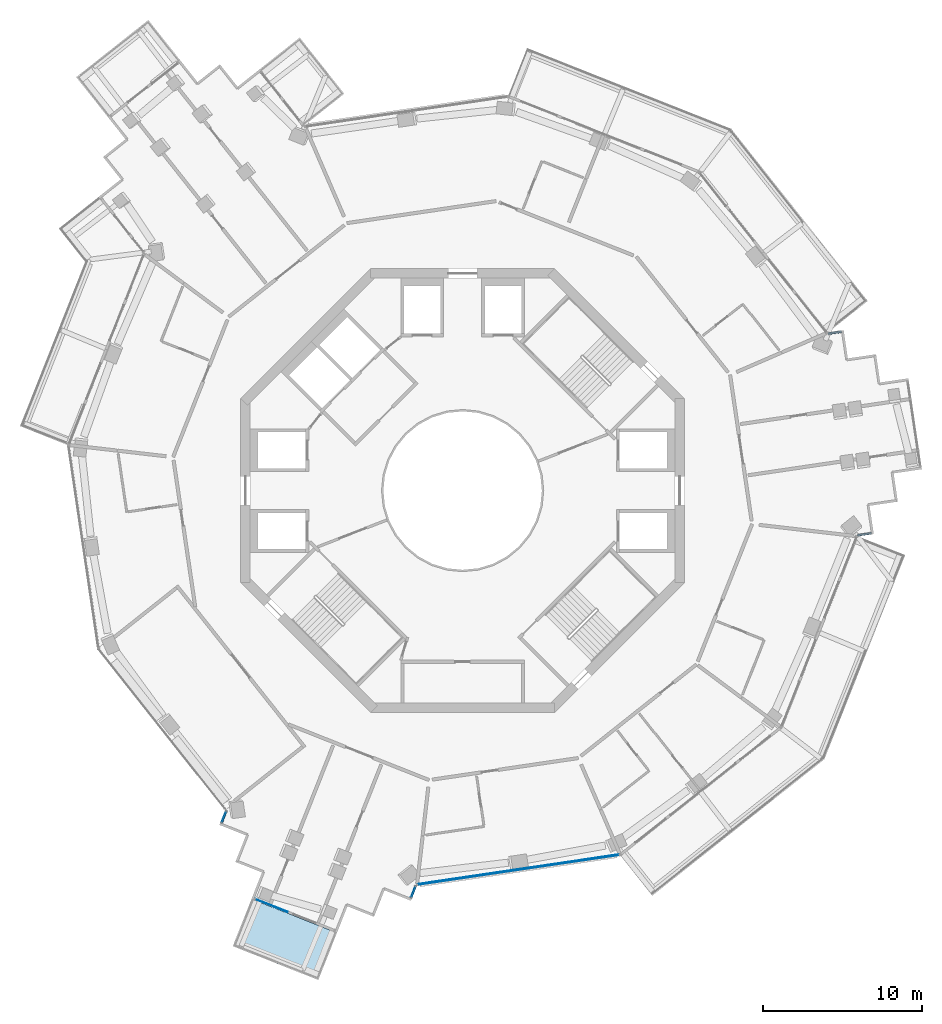
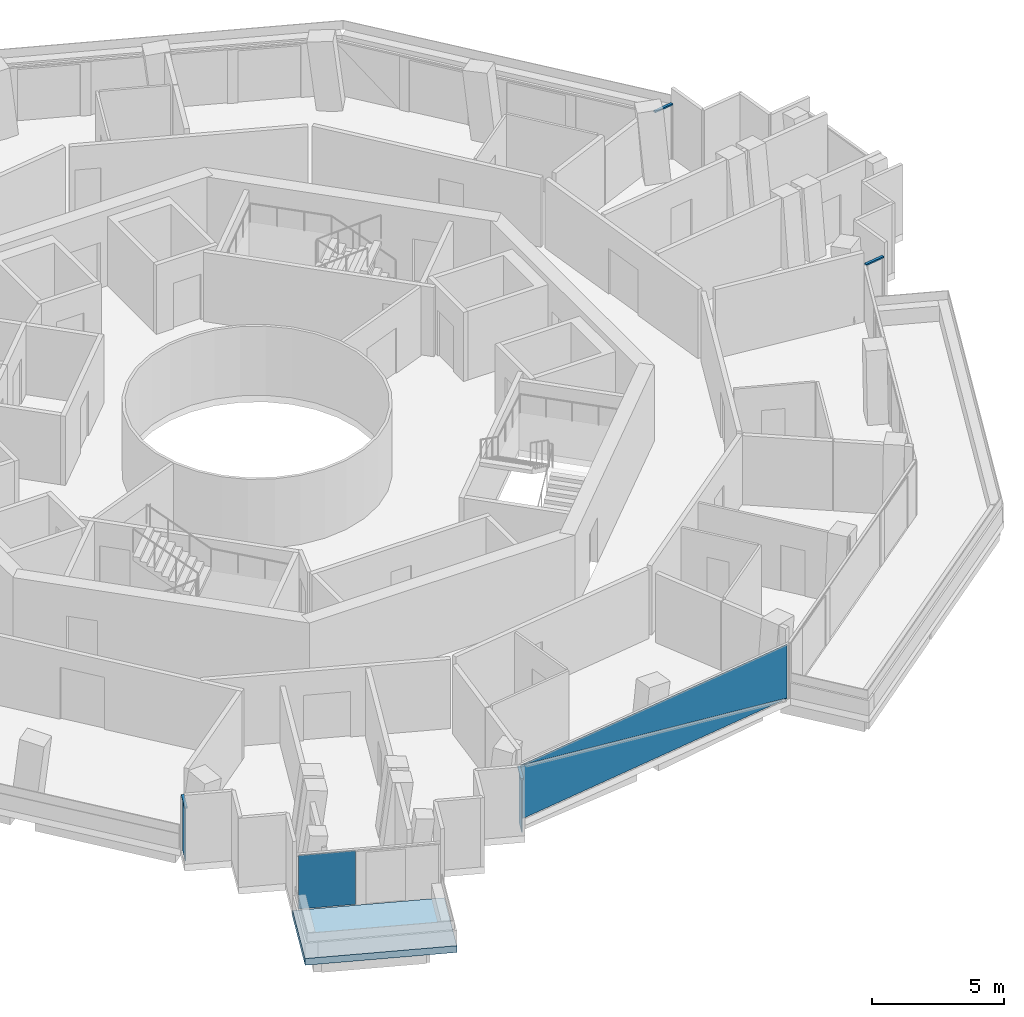
# One storey, part 10 of 21: 5 plates, 4 members, 1 slab, 6 elements without a shape of their own.
"""IFC4 building model written with IfcOpenShell, lengths in metres."""

from ifc_helpers import new_model, si_unit, direction, frame, origin, origin_2d, place, context, subcontext, project, spatial, polyline, rectangle, outline, extrude, material, layer, layer_set, material_profile, profile_set, type_object, element, aggregate, save


model = new_model("IFC4")

# Units and contexts
model_context = context("Model", 3, precision=1e-05, world=origin(), true_north=direction((0.0, 1.0)))
body_context = subcontext(model_context, "Body", "Model", "MODEL_VIEW")
ifc_project = project(units=[si_unit("LENGTHUNIT", "METRE"), si_unit("AREAUNIT", "SQUARE_METRE"), si_unit("VOLUMEUNIT", "CUBIC_METRE"), si_unit("PLANEANGLEUNIT", "RADIAN"), si_unit("MASSUNIT", "GRAM", prefix="KILO")], contexts=[model_context])

# Site, building, storey
site_placement = place(None, origin())
site = spatial("IfcSite", under=ifc_project, at=site_placement, CompositionType="ELEMENT")
building_placement = place(site_placement, origin())
building = spatial("IfcBuilding", under=site, at=building_placement, Name="Verdalira Terraces Hotel", CompositionType="ELEMENT")
storey_placement = place(building_placement, frame((0.0, 0.0, 190.5)))
storey = spatial("IfcBuildingStorey", under=building, at=storey_placement, Name="L46", CompositionType="ELEMENT", Elevation=190.5)

# Curtain wall, member
ifc_material_1 = material(Name="Clear glass", Category="glass")
ifc_layer_1 = layer(ifc_material_1, 0.14990234375)
ifc_layer_set_1 = layer_set([ifc_layer_1], Name="CW2 curtain wall")
curtain_wall_type_1 = type_object("IfcCurtainWallType", Name="CW2 curtain wall", PredefinedType="NOTDEFINED", material=ifc_layer_set_1)
curtain_wall_1_placement = place(storey_placement, origin())
curtain_wall_1 = element("IfcCurtainWall", 1, at=curtain_wall_1_placement, inside=storey, type_object=curtain_wall_type_1, Name="CW2 curtain wall L46 edge 14", PredefinedType="NOTDEFINED")
ifc_material_2 = material(Name="Terracotta frame", Category="masonry")
ifc_material_profile = material_profile(ifc_material_2, rectangle(XDim=0.11499, YDim=0.064941, at=origin_2d()), Name="TR 65x115")
ifc_profile_set = profile_set([ifc_material_profile], Name="Terracotta frame")
member_type = type_object("IfcMemberType", Name="CW2 transom 65x115", PredefinedType="USERDEFINED", material=ifc_profile_set)
member_1_placement = place(storey_placement, frame((-14.903809, -20.189697, 2.507568), z_axis=(-0.368219162, -0.929739022, 0.0), x_axis=(0.929739022, -0.368219162, 0.0)))
member_1 = element("IfcMember", 2, at=member_1_placement, type_object=member_type, Name="CW2 transom", ObjectType="TRANSOM", PredefinedType="USERDEFINED", context=body_context, shape_type="SweptSolid", body=[
    extrude(rectangle(XDim=0.11499, YDim=0.064941, at=origin_2d()), origin(), (0.0, 0.0, 1.0), 0.850098),
])

curtain_wall_2_placement = place(storey_placement, origin())
curtain_wall_2 = element("IfcCurtainWall", 3, at=curtain_wall_2_placement, inside=storey, type_object=curtain_wall_type_1, Name="CW2 curtain wall L46 edge 24", PredefinedType="NOTDEFINED")
member_2_placement = place(storey_placement, frame((-3.269287, -25.710449, 2.507568), z_axis=(0.368120856, 0.92977795, 0.0), x_axis=(-0.92977795, 0.368120856, 0.0)))
member_2 = element("IfcMember", 4, at=member_2_placement, type_object=member_type, Name="CW2 transom", ObjectType="TRANSOM", PredefinedType="USERDEFINED", context=body_context, shape_type="SweptSolid", body=[
    extrude(rectangle(XDim=0.11499, YDim=0.064941, at=origin_2d()), origin(), (0.0, 0.0, 1.0), 0.850342),
])

curtain_wall_3_placement = place(storey_placement, origin())
curtain_wall_3 = element("IfcCurtainWall", 5, at=curtain_wall_3_placement, inside=storey, type_object=curtain_wall_type_1, Name="CW2 curtain wall L46 edge 28", PredefinedType="NOTDEFINED")
member_3_placement = place(storey_placement, frame((24.936768, -2.812256, 2.507568), z_axis=(0.989295803, 0.145924003, 0.0), x_axis=(-0.145924003, 0.989295803, 0.0)))
member_3 = element("IfcMember", 6, at=member_3_placement, type_object=member_type, Name="CW2 transom", ObjectType="TRANSOM", PredefinedType="USERDEFINED", context=body_context, shape_type="SweptSolid", body=[
    extrude(rectangle(XDim=0.11499, YDim=0.064941, at=origin_2d()), origin(), (0.0, 0.0, 1.0), 0.849854),
])
aggregate(curtain_wall_3, [member_3])

curtain_wall_4_placement = place(storey_placement, origin())
curtain_wall_4 = element("IfcCurtainWall", 7, at=curtain_wall_4_placement, inside=storey, type_object=curtain_wall_type_1, Name="CW2 curtain wall L46 edge 38", PredefinedType="NOTDEFINED")
member_4_placement = place(storey_placement, frame((23.900391, 10.023926, 2.507568), z_axis=(-0.989295803, -0.145924003, 0.0), x_axis=(0.145924003, -0.989295803, 0.0)))
member_4 = element("IfcMember", 8, at=member_4_placement, type_object=member_type, Name="CW2 transom", ObjectType="TRANSOM", PredefinedType="USERDEFINED", context=body_context, shape_type="SweptSolid", body=[
    extrude(rectangle(XDim=0.11499, YDim=0.064941, at=origin_2d()), origin(), (0.0, 0.0, 1.0), 0.849854),
])
aggregate(curtain_wall_4, [member_4])

# Slab
ifc_material_3 = material(Name="Precast concrete C40/50", Category="concrete")
ifc_layer_2 = layer(ifc_material_3, 0.31005859375)
ifc_layer_set_2 = layer_set([ifc_layer_2], Name="Balcony deck 310")
slab_type = type_object("IfcSlabType", Name="Balcony deck 310", PredefinedType="FLOOR", material=ifc_layer_set_2)
slab_placement = place(storey_placement, frame((0.0, 0.0, -0.310059)))
element("IfcSlab", 9, at=slab_placement, inside=storey, type_object=slab_type, Name="Balcony deck", PredefinedType="FLOOR", context=body_context, shape_type="SweptSolid", body=[
    extrude(outline(polyline([(-9.105225, -30.874756), (-7.927002, -27.899414), (-13.319824, -25.76416), (-14.497803, -28.739502), (-9.105225, -30.874756)])), origin(), (0.0, 0.0, 1.0), 0.310059),
])

# Curtain wall, plates
ifc_material_4 = material(Name="Clear glass", Category="glass")
ifc_layer_3 = layer(ifc_material_4, 0.14990234375)
ifc_layer_set_3 = layer_set([ifc_layer_3], Name="CW1 curtain wall")
curtain_wall_type_2 = type_object("IfcCurtainWallType", Name="CW1 curtain wall", PredefinedType="NOTDEFINED", material=ifc_layer_set_3)
curtain_wall_5_placement = place(storey_placement, origin())
curtain_wall_5 = element("IfcCurtainWall", 10, at=curtain_wall_5_placement, inside=storey, type_object=curtain_wall_type_2, Name="CW1 curtain wall L46 edge 25", PredefinedType="NOTDEFINED")
ifc_material_5 = material(Name="Clear glass", Category="glass")
ifc_layer_4 = layer(ifc_material_5, 0.028076171875)
ifc_layer_set_4 = layer_set([ifc_layer_4], Name="CW1 glass unit 28")
plate_type_1 = type_object("IfcPlateType", Name="CW1 glass unit 28", PredefinedType="CURTAIN_PANEL", material=ifc_layer_set_4)
plate_1_placement = place(storey_placement, frame((3.510986, -23.912842, 1.237549), z_axis=(0.146083029, -0.989272333, 0.0), x_axis=(0.989272333, 0.146083029, 0.0)))
plate_1 = element("IfcPlate", 11, at=plate_1_placement, type_object=plate_type_1, Name="CW1 glass unit", PredefinedType="CURTAIN_PANEL", context=body_context, shape_type="SweptSolid", body=[
    extrude(outline(polyline([(-6.419922, -1.237549), (6.419922, -1.237549), (-6.419922, 1.237549), (-6.419922, -1.237549)])), origin(), (0.0, 0.0, 1.0), 0.028076),
])
plate_2_placement = place(storey_placement, frame((3.506592, -23.884033, 1.237549), z_axis=(0.146083029, -0.989272333, 0.0), x_axis=(0.989272333, 0.146083029, 0.0)))
plate_2 = element("IfcPlate", 12, at=plate_2_placement, type_object=plate_type_1, Name="CW1 glass unit", PredefinedType="CURTAIN_PANEL", context=body_context, shape_type="SweptSolid", body=[
    extrude(outline(polyline([(6.419922, -1.237549), (6.419922, 1.237549), (-6.419922, 1.237549), (6.419922, -1.237549)])), origin(), (0.0, 0.0, 1.0), 0.028076),
])
aggregate(curtain_wall_5, [plate_1, plate_2])

# Plate
ifc_material_6 = material(Name="Clear glass", Category="glass")
ifc_layer_5 = layer(ifc_material_6, 0.031982421875)
ifc_layer_set_5 = layer_set([ifc_layer_5], Name="CW2 glass unit 32")
plate_type_2 = type_object("IfcPlateType", Name="CW2 glass unit 32", PredefinedType="CURTAIN_PANEL", material=ifc_layer_set_5)
plate_3_placement = place(storey_placement, frame((-15.060303, -20.584717, 0.0), z_axis=(0.0, 0.0, 1.0), x_axis=(-0.368124553, -0.929776486, 0.0)))
plate_3 = element("IfcPlate", 13, at=plate_3_placement, type_object=plate_type_2, Name="CW2 glass unit", PredefinedType="CURTAIN_PANEL", context=body_context, shape_type="SweptSolid", body=[
    extrude(rectangle(XDim=0.709961, YDim=0.031982, at=origin_2d()), origin(), (0.0, 0.0, 1.0), 2.475098),
])

aggregate(curtain_wall_1, [member_1, plate_3])

plate_4_placement = place(storey_placement, frame((-3.112793, -25.315186, 0.0), z_axis=(0.0, 0.0, 1.0), x_axis=(0.368124553, 0.929776486, 0.0)))
plate_4 = element("IfcPlate", 14, at=plate_4_placement, type_object=plate_type_2, Name="CW2 glass unit", PredefinedType="CURTAIN_PANEL", context=body_context, shape_type="SweptSolid", body=[
    extrude(rectangle(XDim=0.709961, YDim=0.031982, at=origin_2d()), origin(), (0.0, 0.0, 1.0), 2.475098),
])

aggregate(curtain_wall_2, [member_2, plate_4])

# Curtain wall, plate
ifc_material_7 = material(Name="Clear glass", Category="glass")
ifc_layer_6 = layer(ifc_material_7, 0.14990234375)
ifc_layer_set_6 = layer_set([ifc_layer_6], Name="CW3 curtain wall")
curtain_wall_type_3 = type_object("IfcCurtainWallType", Name="CW3 curtain wall", PredefinedType="NOTDEFINED", material=ifc_layer_set_6)
curtain_wall_6_placement = place(storey_placement, origin())
curtain_wall_6 = element("IfcCurtainWall", 15, at=curtain_wall_6_placement, inside=storey, type_object=curtain_wall_type_3, Name="CW3 curtain wall L46 edge 19", PredefinedType="NOTDEFINED")
ifc_material_8 = material(Name="Clear glass", Category="glass")
ifc_layer_7 = layer(ifc_material_8, 0.035888671875)
ifc_layer_set_7 = layer_set([ifc_layer_7], Name="CW3 glass unit 36")
plate_type_3 = type_object("IfcPlateType", Name="CW3 glass unit 36", PredefinedType="CURTAIN_PANEL", material=ifc_layer_set_7)
plate_5_placement = place(storey_placement, frame((-12.064941, -26.18042, 0.0), z_axis=(0.0, 0.0, 1.0), x_axis=(0.929776486, -0.368124553, 0.0)))
plate_5 = element("IfcPlate", 16, at=plate_5_placement, type_object=plate_type_3, Name="CW3 glass unit", PredefinedType="CURTAIN_PANEL", context=body_context, shape_type="SweptSolid", body=[
    extrude(rectangle(XDim=2.179932, YDim=0.035889, at=origin_2d()), origin(), (0.0, 0.0, 1.0), 2.475098),
])
aggregate(curtain_wall_6, [plate_5])

save(model, "model.ifc")
